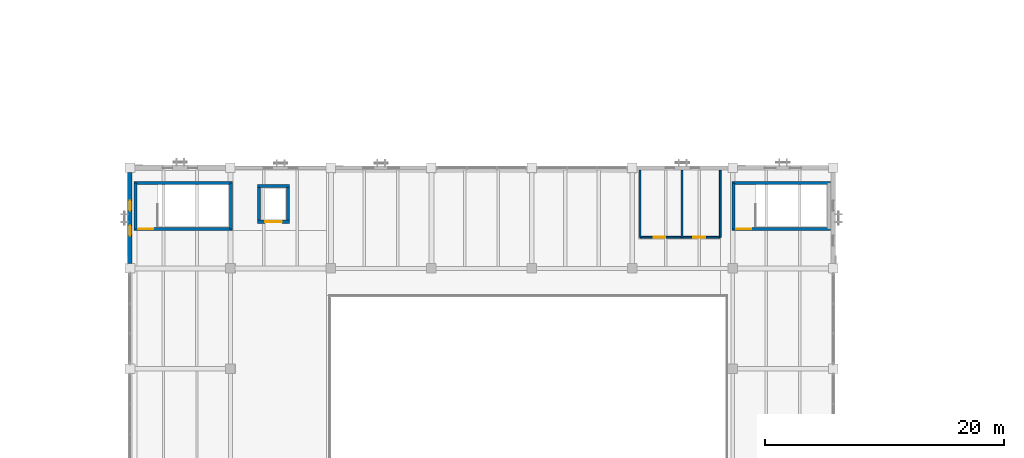
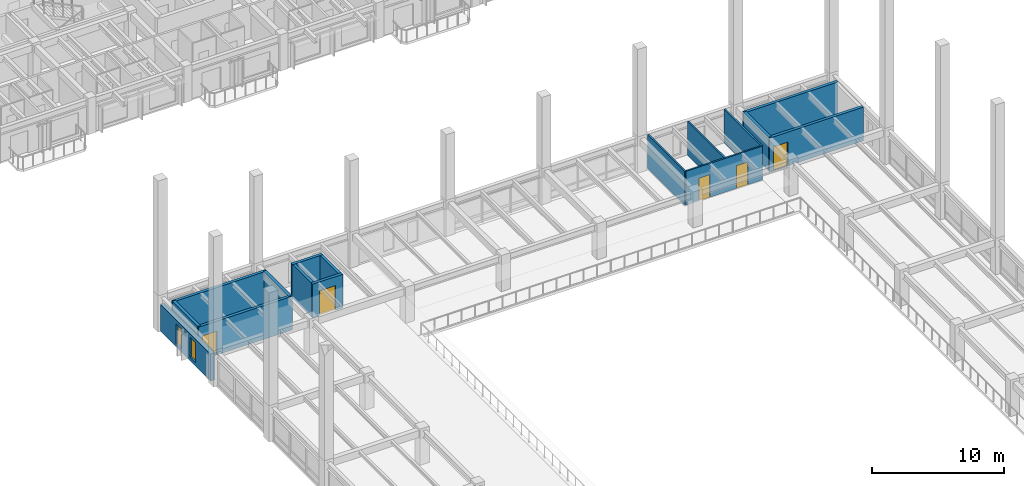
# One storey, part 31 of 64: 16 walls, 5 doors, 2 windows, 7 openings.
"""IFC4 building model written with IfcOpenShell, lengths in metres."""

from ifc_helpers import new_model, si_unit, direction, frame, frame_2d, origin, place, context, subcontext, project, spatial, rectangle, extrude, material, layer, layer_set, type_object, element, fill, save


model = new_model("IFC4")

# Units and contexts
model_context = context("Model", 3, precision=1e-05, world=origin(), true_north=direction((0.0, 1.0)))
body_context = subcontext(model_context, "Body", "Model", "MODEL_VIEW")
ifc_project = project(units=[si_unit("LENGTHUNIT", "METRE"), si_unit("AREAUNIT", "SQUARE_METRE"), si_unit("VOLUMEUNIT", "CUBIC_METRE"), si_unit("PLANEANGLEUNIT", "RADIAN"), si_unit("MASSUNIT", "GRAM", prefix="KILO")], contexts=[model_context])

# Site, building, storey
site_placement = place(None, origin())
site = spatial("IfcSite", under=ifc_project, at=site_placement, CompositionType="ELEMENT")
building_placement = place(site_placement, origin())
building = spatial("IfcBuilding", under=site, at=building_placement, Name="Cumbredor Promenade Congress Hotel", CompositionType="ELEMENT")
storey_placement = place(building_placement, frame((0.0, 0.0, 18.47998046875)))
storey = spatial("IfcBuildingStorey", under=building, at=storey_placement, Name="L05", CompositionType="ELEMENT", Elevation=18.47998046875)

# Wall, openings, windows
ifc_material_1 = material(Name="Concrete C40/50", Category="concrete")
ifc_layer_1 = layer(ifc_material_1, 0.3798828125, Name="Concrete C40/50", Category="concrete")
ifc_layer_set_1 = layer_set([ifc_layer_1], Name="Concrete C40/50")
wall_type_1 = type_object("IfcWallType", Name="WL-EXT-380", PredefinedType="SOLIDWALL", material=ifc_layer_set_1)
wall_1_placement = place(storey_placement, frame((8.39990234375, 59.200927734375, 0.0), z_axis=(0.0, 0.0, 1.0), x_axis=(0.0, 1.0, 0.0)))
wall_1 = element("IfcWall", 1, at=wall_1_placement, inside=storey, type_object=wall_type_1, Name="L05 Plenary Congress Hall West Envelope Wall 7", PredefinedType="SOLIDWALL", context=body_context, shape_type="SweptSolid", body=[
    extrude(rectangle(XDim=7.59814453125, YDim=0.3798828125, at=frame_2d((3.799072265625, 0.0))), origin(), (0.0, 0.0, 1.0), 2.494140625),
])
opening_1_placement = place(wall_1_placement, frame((2.3291015625, 0.0, 0.300048828125)))
opening_1 = element("IfcOpeningElement", 2, at=opening_1_placement, cuts=wall_1, Name="Opening WN-47", PredefinedType="OPENING", context=body_context, shape_type="SweptSolid", body=[
    extrude(rectangle(XDim=0.840087890625, YDim=1.85009765625, at=frame_2d((0.419921875, 0.925048828125))), frame((0.0, 0.199951171875, 0.0), z_axis=(0.0, -1.0, 0.0), x_axis=(1.0, 0.0, 0.0)), (0.0, 0.0, 1.0), 0.39990234375),
])
opening_2_placement = place(wall_1_placement, frame((4.428955078125, 0.0, 0.300048828125)))
opening_2 = element("IfcOpeningElement", 3, at=opening_2_placement, cuts=wall_1, Name="Opening WN-47", PredefinedType="OPENING", context=body_context, shape_type="SweptSolid", body=[
    extrude(rectangle(XDim=0.840087890625, YDim=1.85009765625, at=frame_2d((0.419921875, 0.925048828125))), frame((0.0, 0.199951171875, 0.0), z_axis=(0.0, -1.0, 0.0), x_axis=(1.0, 0.0, 0.0)), (0.0, 0.0, 1.0), 0.39990234375),
])
ifc_material_2 = material(Name="Thermally broken anodized aluminium and low-E glass", Category="aluminium")
window_type = type_object("IfcWindowType", Name="Vertical Slot Window WN-47 840x1850", PartitioningType="SINGLE_PANEL", PredefinedType="WINDOW", material=ifc_material_2)
window_1_placement = place(opening_1_placement, origin())
window_1 = element("IfcWindow", 4, at=window_1_placement, inside=storey, type_object=window_type, Name="L05 Vertical Slot Window 0536", OverallHeight=1.85009765625, OverallWidth=0.840087890625, PartitioningType="SINGLE_PANEL", PredefinedType="WINDOW", context=body_context, shape_type="SweptSolid", body=[
    extrude(rectangle(XDim=0.840087890625, YDim=1.85009765625, at=frame_2d((0.419921875, 0.925048828125))), frame((0.0, 0.030029296875, 0.0), z_axis=(0.0, -1.0, 0.0), x_axis=(1.0, 0.0, 0.0)), (0.0, 0.0, 1.0), 0.06005859375),
])
fill(opening_1, window_1)
window_2_placement = place(opening_2_placement, origin())
window_2 = element("IfcWindow", 5, at=window_2_placement, inside=storey, type_object=window_type, Name="L05 Vertical Slot Window 0537", OverallHeight=1.85009765625, OverallWidth=0.840087890625, PartitioningType="SINGLE_PANEL", PredefinedType="WINDOW", context=body_context, shape_type="SweptSolid", body=[
    extrude(rectangle(XDim=0.840087890625, YDim=1.85009765625, at=frame_2d((0.419921875, 0.925048828125))), frame((0.0, 0.030029296875, 0.0), z_axis=(0.0, -1.0, 0.0), x_axis=(1.0, 0.0, 0.0)), (0.0, 0.0, 1.0), 0.06005859375),
])
fill(opening_2, window_2)

# Wall, openings, doors
ifc_material_3 = material(Name="Acoustic gypsum partition on steel studs", Category="steel")
ifc_layer_2 = layer(ifc_material_3, 0.139892578125, Name="Acoustic gypsum partition on steel studs", Category="steel")
ifc_layer_set_2 = layer_set([ifc_layer_2], Name="Acoustic gypsum partition on steel studs")
wall_type_2 = type_object("IfcWallType", Name="WL-PART-140", PredefinedType="PARTITIONING", material=ifc_layer_set_2)
wall_2_placement = place(storey_placement, frame((51.050048828125, 61.39990234375, 0.0), z_axis=(0.0, 0.0, 1.0), x_axis=(1.0, 0.0, 0.0)))
wall_2 = element("IfcWall", 6, at=wall_2_placement, inside=storey, type_object=wall_type_2, Name="L05 Interior Partition W-L05-V1-WC", PredefinedType="PARTITIONING", context=body_context, shape_type="SweptSolid", body=[
    extrude(rectangle(XDim=6.699951171875, YDim=0.139892578125, at=frame_2d((3.35009765625, 0.0))), origin(), (0.0, 0.0, 1.0), 3.125),
])
opening_3_placement = place(wall_2_placement, frame((1.14990234375, 0.0, 0.0)))
opening_3 = element("IfcOpeningElement", 7, at=opening_3_placement, cuts=wall_2, Name="Opening ID-02", PredefinedType="OPENING", context=body_context, shape_type="SweptSolid", body=[
    extrude(rectangle(XDim=0.949951171875, YDim=2.10009765625, at=frame_2d((0.47509765625, 1.050048828125))), frame((0.0, 0.080078125, 0.0), z_axis=(0.0, -1.0, 0.0), x_axis=(1.0, 0.0, 0.0)), (0.0, 0.0, 1.0), 0.159912109375),
])
opening_4_placement = place(wall_2_placement, frame((4.449951171875, 0.0, 0.0)))
opening_4 = element("IfcOpeningElement", 8, at=opening_4_placement, cuts=wall_2, Name="Opening ID-03", PredefinedType="OPENING", context=body_context, shape_type="SweptSolid", body=[
    extrude(rectangle(XDim=1.0, YDim=2.10009765625, at=frame_2d((0.5, 1.050048828125))), frame((0.0, 0.080078125, 0.0), z_axis=(0.0, -1.0, 0.0), x_axis=(1.0, 0.0, 0.0)), (0.0, 0.0, 1.0), 0.159912109375),
])
ifc_material_4 = material(Name="Kiln-dried tropical hardwood", Category="wood")
door_type_1 = type_object("IfcDoorType", Name="DR-ACC-1000", OperationType="NOTDEFINED", PredefinedType="DOOR", material=ifc_material_4)
door_1_placement = place(opening_4_placement, origin())
door_1 = element("IfcDoor", 9, at=door_1_placement, inside=storey, type_object=door_type_1, Name="L05 Interior Door W-L05-V1-WC-02", OperationType="SINGLE_SWING_LEFT", OverallHeight=2.10009765625, OverallWidth=1.0, PredefinedType="DOOR", context=body_context, shape_type="SweptSolid", body=[
    extrude(rectangle(XDim=1.0, YDim=2.10009765625, at=frame_2d((0.5, 1.050048828125))), frame((0.0, 0.02490234375, 0.0), z_axis=(0.0, -1.0, 0.0), x_axis=(1.0, 0.0, 0.0)), (0.0, 0.0, 1.0), 0.050048828125),
])
fill(opening_4, door_1)
door_type_2 = type_object("IfcDoorType", Name="DR-INT-950", OperationType="NOTDEFINED", PredefinedType="DOOR", material=ifc_material_4)
door_2_placement = place(opening_3_placement, origin())
door_2 = element("IfcDoor", 10, at=door_2_placement, inside=storey, type_object=door_type_2, Name="L05 Interior Door W-L05-V1-WC-01", OperationType="SINGLE_SWING_RIGHT", OverallHeight=2.10009765625, OverallWidth=0.949951171875, PredefinedType="DOOR", context=body_context, shape_type="SweptSolid", body=[
    extrude(rectangle(XDim=0.949951171875, YDim=2.10009765625, at=frame_2d((0.47509765625, 1.050048828125))), frame((0.0, 0.02490234375, 0.0), z_axis=(0.0, -1.0, 0.0), x_axis=(1.0, 0.0, 0.0)), (0.0, 0.0, 1.0), 0.050048828125),
])
fill(opening_3, door_2)

# Walls
for number, where, z_axis, x_axis, name in (
    (11, (51.050048828125, 61.39990234375, 0.0), (0.0, 0.0, 1.0), (0.0, 1.0, 0.0), "L05 Interior Partition W-L05-V1-WC-W"),
    (12, (54.550048828125, 61.39990234375, 0.0), (0.0, 0.0, 1.0), (0.0, 1.0, 0.0), "L05 Interior Partition W-L05-V1-WC-M"),
    (13, (57.75, 61.39990234375, 0.0), (0.0, 0.0, 1.0), (0.0, 1.0, 0.0), "L05 Interior Partition W-L05-V1-WC-E"),
):
    element("IfcWall", number, at=place(storey_placement, frame(where, z_axis=z_axis, x_axis=x_axis)), inside=storey, type_object=wall_type_2, Name=name, PredefinedType="PARTITIONING", context=body_context, shape_type="SweptSolid", body=[
        extrude(rectangle(XDim=5.625, YDim=0.139892578125, at=frame_2d((2.8125, 0.0))), origin(), (0.0, 0.0, 1.0), 3.125),
    ])

# Wall, opening, door
ifc_layer_3 = layer(ifc_material_1, 0.2548828125, Name="Concrete C40/50", Category="concrete")
ifc_layer_set_3 = layer_set([ifc_layer_3], Name="Concrete C40/50")
wall_type_3 = type_object("IfcWallType", Name="WL-SHAFT-250", PredefinedType="SOLIDWALL", material=ifc_layer_set_3)
wall_3_placement = place(storey_placement, frame((8.75244140625, 62.10009765625, 0.0), z_axis=(0.0, 0.0, 1.0), x_axis=(1.0, 0.0, 0.0)))
wall_3 = element("IfcWall", 14, at=wall_3_placement, inside=storey, type_object=wall_type_3, Name="STAIR-ST-06-L05 Shaft Wall South", PredefinedType="SOLIDWALL", context=body_context, shape_type="SweptSolid", body=[
    extrude(rectangle(XDim=8.22509765625, YDim=0.2548828125, at=frame_2d((4.112548828125, 0.0))), origin(), (0.0, 0.0, 1.0), 3.125),
])
opening_5_placement = place(wall_3_placement, frame((0.35009765625, 0.0, 0.0)))
opening_5 = element("IfcOpeningElement", 15, at=opening_5_placement, cuts=wall_3, Name="Opening SD-02", PredefinedType="OPENING", context=body_context, shape_type="SweptSolid", body=[
    extrude(rectangle(XDim=1.25, YDim=2.199951171875, at=frame_2d((0.625, 1.10009765625))), frame((0.0, 0.137451171875, 0.0), z_axis=(0.0, -1.0, 0.0), x_axis=(1.0, 0.0, 0.0)), (0.0, 0.0, 1.0), 0.27490234375),
])
ifc_material_5 = material(Name="Painted galvanized steel fire door", Category="steel")
door_type_3 = type_object("IfcDoorType", Name="DR-STAIR-FD90-1250", OperationType="NOTDEFINED", PredefinedType="DOOR", material=ifc_material_5)
door_3_placement = place(opening_5_placement, origin())
door_3 = element("IfcDoor", 16, at=door_3_placement, inside=storey, type_object=door_type_3, Name="L05 Protected Exit Stair ST-06 Door", OperationType="SINGLE_SWING_RIGHT", OverallHeight=2.199951171875, OverallWidth=1.25, PredefinedType="DOOR", context=body_context, shape_type="SweptSolid", body=[
    extrude(rectangle(XDim=1.25, YDim=2.199951171875, at=frame_2d((0.625, 1.10009765625))), frame((0.0, 0.02490234375, 0.0), z_axis=(0.0, -1.0, 0.0), x_axis=(1.0, 0.0, 0.0)), (0.0, 0.0, 1.0), 0.050048828125),
])
fill(opening_5, door_3)

# Walls
wall_4_placement = place(storey_placement, frame((8.75244140625, 65.949951171875, 0.0), z_axis=(0.0, 0.0, 1.0), x_axis=(1.0, 0.0, 0.0)))
element("IfcWall", 17, at=wall_4_placement, inside=storey, type_object=wall_type_3, Name="STAIR-ST-06-L05 Shaft Wall North", PredefinedType="SOLIDWALL", context=body_context, shape_type="SweptSolid", body=[
    extrude(rectangle(XDim=8.22509765625, YDim=0.2548828125, at=frame_2d((4.112548828125, 0.0))), origin(), (0.0, 0.0, 1.0), 3.125),
])
for number, where, z_axis, x_axis, name in (
    (18, (8.8798828125, 62.10009765625, 0.0), (0.0, 0.0, 1.0), (0.0, 1.0, 0.0), "STAIR-ST-06-L05 Shaft Wall West"),
    (19, (16.85009765625, 62.10009765625, 0.0), (0.0, 0.0, 1.0), (0.0, 1.0, 0.0), "STAIR-ST-06-L05 Shaft Wall East"),
):
    element("IfcWall", number, at=place(storey_placement, frame(where, z_axis=z_axis, x_axis=x_axis)), inside=storey, type_object=wall_type_3, Name=name, PredefinedType="SOLIDWALL", context=body_context, shape_type="SweptSolid", body=[
        extrude(rectangle(XDim=3.849853515625, YDim=0.2548828125, at=frame_2d((1.9248046875, 0.0))), origin(), (0.0, 0.0, 1.0), 3.125),
    ])

# Wall, opening, door
wall_5_placement = place(storey_placement, frame((58.75244140625, 62.10009765625, 0.0), z_axis=(0.0, 0.0, 1.0), x_axis=(1.0, 0.0, 0.0)))
wall_5 = element("IfcWall", 20, at=wall_5_placement, inside=storey, type_object=wall_type_3, Name="STAIR-ST-07-L05 Shaft Wall South", PredefinedType="SOLIDWALL", context=body_context, shape_type="SweptSolid", body=[
    extrude(rectangle(XDim=8.22509765625, YDim=0.2548828125, at=frame_2d((4.112548828125, 0.0))), origin(), (0.0, 0.0, 1.0), 3.125),
])
opening_6_placement = place(wall_5_placement, frame((0.35009765625, 0.0, 0.0)))
opening_6 = element("IfcOpeningElement", 21, at=opening_6_placement, cuts=wall_5, Name="Opening SD-02", PredefinedType="OPENING", context=body_context, shape_type="SweptSolid", body=[
    extrude(rectangle(XDim=1.25, YDim=2.199951171875, at=frame_2d((0.625, 1.10009765625))), frame((0.0, 0.137451171875, 0.0), z_axis=(0.0, -1.0, 0.0), x_axis=(1.0, 0.0, 0.0)), (0.0, 0.0, 1.0), 0.27490234375),
])
door_4_placement = place(opening_6_placement, origin())
door_4 = element("IfcDoor", 22, at=door_4_placement, inside=storey, type_object=door_type_3, Name="L05 Protected Exit Stair ST-07 Door", OperationType="SINGLE_SWING_RIGHT", OverallHeight=2.199951171875, OverallWidth=1.25, PredefinedType="DOOR", context=body_context, shape_type="SweptSolid", body=[
    extrude(rectangle(XDim=1.25, YDim=2.199951171875, at=frame_2d((0.625, 1.10009765625))), frame((0.0, 0.02490234375, 0.0), z_axis=(0.0, -1.0, 0.0), x_axis=(1.0, 0.0, 0.0)), (0.0, 0.0, 1.0), 0.050048828125),
])
fill(opening_6, door_4)

# Walls
wall_6_placement = place(storey_placement, frame((58.75244140625, 65.949951171875, 0.0), z_axis=(0.0, 0.0, 1.0), x_axis=(1.0, 0.0, 0.0)))
element("IfcWall", 23, at=wall_6_placement, inside=storey, type_object=wall_type_3, Name="STAIR-ST-07-L05 Shaft Wall North", PredefinedType="SOLIDWALL", context=body_context, shape_type="SweptSolid", body=[
    extrude(rectangle(XDim=8.22509765625, YDim=0.2548828125, at=frame_2d((4.112548828125, 0.0))), origin(), (0.0, 0.0, 1.0), 3.125),
])
wall_7_placement = place(storey_placement, frame((58.8798828125, 62.10009765625, 0.0), z_axis=(0.0, 0.0, 1.0), x_axis=(0.0, 1.0, 0.0)))
element("IfcWall", 24, at=wall_7_placement, inside=storey, type_object=wall_type_3, Name="STAIR-ST-07-L05 Shaft Wall West", PredefinedType="SOLIDWALL", context=body_context, shape_type="SweptSolid", body=[
    extrude(rectangle(XDim=3.849853515625, YDim=0.2548828125, at=frame_2d((1.9248046875, 0.0))), origin(), (0.0, 0.0, 1.0), 3.125),
])

# Wall, opening, door
wall_8_placement = place(storey_placement, frame((19.072509765625, 62.699951171875, 0.0), z_axis=(0.0, 0.0, 1.0), x_axis=(1.0, 0.0, 0.0)))
wall_8 = element("IfcWall", 25, at=wall_8_placement, inside=storey, type_object=wall_type_3, Name="SHAFT-SV-01-L05 Shaft Wall South", PredefinedType="SOLIDWALL", context=body_context, shape_type="SweptSolid", body=[
    extrude(rectangle(XDim=2.655029296875, YDim=0.2548828125, at=frame_2d((1.32763671875, 0.0))), origin(), (0.0, 0.0, 1.0), 3.125),
])
opening_7_placement = place(wall_8_placement, frame((0.62744140625, 0.0, 0.0)))
opening_7 = element("IfcOpeningElement", 26, at=opening_7_placement, cuts=wall_8, Name="Opening LD-03", PredefinedType="OPENING", context=body_context, shape_type="SweptSolid", body=[
    extrude(rectangle(XDim=1.39990234375, YDim=2.300048828125, at=frame_2d((0.699951171875, 1.14990234375))), frame((0.0, 0.137451171875, 0.0), z_axis=(0.0, -1.0, 0.0), x_axis=(1.0, 0.0, 0.0)), (0.0, 0.0, 1.0), 0.27490234375),
])
ifc_material_6 = material(Name="Brushed stainless steel", Category="steel")
door_type_4 = type_object("IfcDoorType", Name="Service Lift Sliding Door LD-03 1400x2300", OperationType="DOUBLE_DOOR_SLIDING", PredefinedType="DOOR", material=ifc_material_6)
door_5_placement = place(opening_7_placement, origin())
door_5 = element("IfcDoor", 27, at=door_5_placement, inside=storey, type_object=door_type_4, Name="L05 Plenary Stage Goods Lift SV-01 Sliding Landing Door", OperationType="DOUBLE_DOOR_SLIDING", OverallHeight=2.300048828125, OverallWidth=1.39990234375, PredefinedType="DOOR", context=body_context, shape_type="SweptSolid", body=[
    extrude(rectangle(XDim=1.39990234375, YDim=2.300048828125, at=frame_2d((0.699951171875, 1.14990234375))), frame((0.0, 0.02490234375, 0.0), z_axis=(0.0, -1.0, 0.0), x_axis=(1.0, 0.0, 0.0)), (0.0, 0.0, 1.0), 0.050048828125),
])
fill(opening_7, door_5)

# Walls
wall_9_placement = place(storey_placement, frame((19.072509765625, 65.699951171875, 0.0), z_axis=(0.0, 0.0, 1.0), x_axis=(1.0, 0.0, 0.0)))
element("IfcWall", 28, at=wall_9_placement, inside=storey, type_object=wall_type_3, Name="SHAFT-SV-01-L05 Shaft Wall North", PredefinedType="SOLIDWALL", context=body_context, shape_type="SweptSolid", body=[
    extrude(rectangle(XDim=2.655029296875, YDim=0.2548828125, at=frame_2d((1.32763671875, 0.0))), origin(), (0.0, 0.0, 1.0), 3.125),
])
for number, where, z_axis, x_axis, name in (
    (29, (19.199951171875, 62.699951171875, 0.0), (0.0, 0.0, 1.0), (0.0, 1.0, 0.0), "SHAFT-SV-01-L05 Shaft Wall West"),
    (30, (21.60009765625, 62.699951171875, 0.0), (0.0, 0.0, 1.0), (0.0, 1.0, 0.0), "SHAFT-SV-01-L05 Shaft Wall East"),
):
    element("IfcWall", number, at=place(storey_placement, frame(where, z_axis=z_axis, x_axis=x_axis)), inside=storey, type_object=wall_type_3, Name=name, PredefinedType="SOLIDWALL", context=body_context, shape_type="SweptSolid", body=[
        extrude(rectangle(XDim=3.0, YDim=0.2548828125, at=frame_2d((1.5, 0.0))), origin(), (0.0, 0.0, 1.0), 3.125),
    ])

save(model, "model.ifc")
